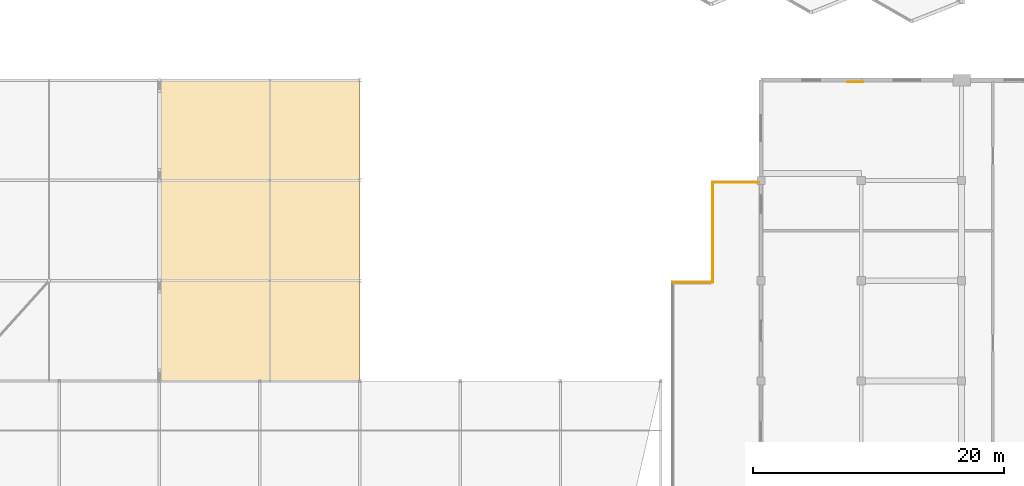
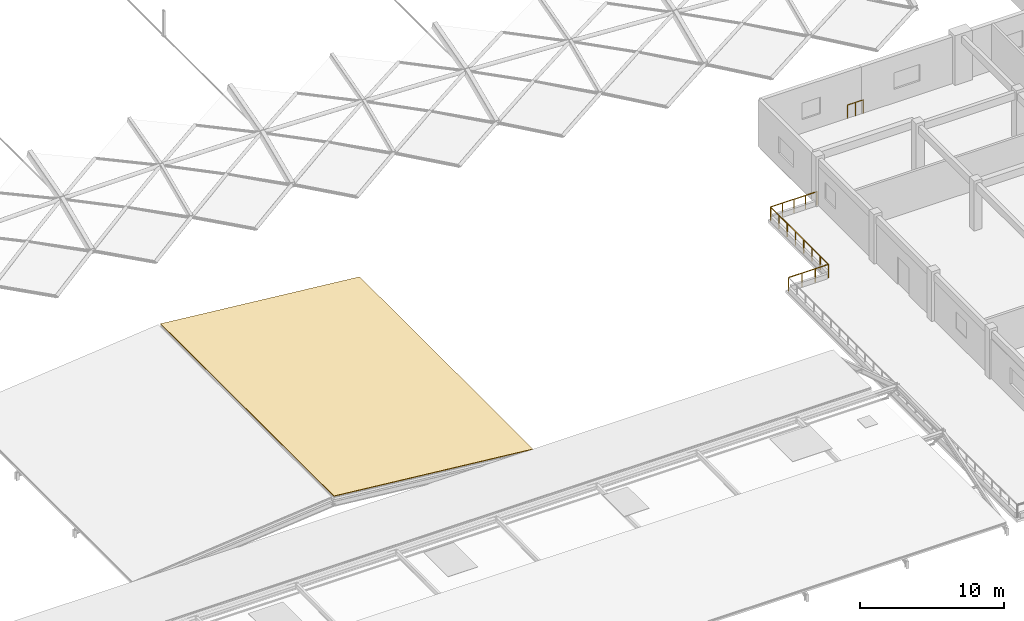
# One storey, part 51 of 54: 4 railings, 1 covering.
"""IFC4 building model written with IfcOpenShell, lengths in metres."""

from ifc_helpers import new_model, si_unit, direction, frame, origin, origin_2d, place, context, subcontext, project, spatial, polyline, circle, outline, extrude, material, layer, layer_set, type_object, element, save


model = new_model("IFC4")

# Units and contexts
model_context = context("Model", 3, precision=1e-05, world=origin(), true_north=direction((0.0, 1.0)))
body_context = subcontext(model_context, "Body", "Model", "MODEL_VIEW")
ifc_project = project(units=[si_unit("LENGTHUNIT", "METRE"), si_unit("AREAUNIT", "SQUARE_METRE"), si_unit("VOLUMEUNIT", "CUBIC_METRE"), si_unit("PLANEANGLEUNIT", "RADIAN"), si_unit("MASSUNIT", "GRAM", prefix="KILO")], contexts=[model_context])

# Site, building, storey
site_placement = place(None, origin())
site = spatial("IfcSite", under=ifc_project, at=site_placement, CompositionType="ELEMENT")
building_placement = place(site_placement, origin())
building = spatial("IfcBuilding", under=site, at=building_placement, Name="Kenh Van Central Station", CompositionType="ELEMENT")
storey_placement = place(building_placement, frame((0.0, 0.0, 15.0)))
storey = spatial("IfcBuildingStorey", under=building, at=storey_placement, Name="L03", CompositionType="ELEMENT", Elevation=15.0)

# Covering
ifc_material_1 = material(Name="Glazed terracotta roof tile", Category="masonry")
ifc_layer = layer(ifc_material_1, 0.054931640625, Name="Glazed terracotta roof tile")
ifc_layer_set = layer_set([ifc_layer], Name="Glazed terracotta roof tile")
covering_type = type_object("IfcCoveringType", Name="COV-ROOF-TERRA", PredefinedType="ROOFING", material=ifc_layer_set)
covering_placement = place(storey_placement, frame((80.10009765625, 40.0, 1.739990234375), z_axis=(0.100129933045, 0.0, 0.994974369775), x_axis=(0.994974369775, 0.0, -0.100129933045)))
element("IfcCovering", 1, at=covering_placement, inside=storey, type_object=covering_type, Name="L03 pitched roof covering 06", PredefinedType="ROOFING", context=body_context, shape_type="SweptSolid", body=[
    extrude(outline(polyline([(0.0, 0.0), (15.980212985136447, 0.0), (15.980212985136447, 23.999999999999996), (0.0, 23.999999999999996), (0.0, 0.0)])), origin(), (0.0, 0.0, -1.0), 0.054931640625),
])

# Railings
ifc_material_2 = material(Name="Champagne anodised aluminium", Category="aluminium")
railing_type = type_object("IfcRailingType", Name="RAIL-TERR-GRD115", PredefinedType="GUARDRAIL", material=ifc_material_2)
railing_1_placement = place(storey_placement, frame((120.949951171875, 47.85009765625, 0.0)))
element("IfcRailing", 2, at=railing_1_placement, inside=storey, type_object=railing_type, Name="L03 terrace guardrail 08", PredefinedType="GUARDRAIL", context=body_context, shape_type="SweptSolid", body=[
    extrude(circle(Radius=0.02392578125, at=origin_2d()), frame((0.0, 0.0, 1.1259765625), z_axis=(1.0, 0.0, 0.0), x_axis=(0.0, 1.0, 0.0)), (0.0, 0.0, 1.0), 3.199951171875),
    extrude(circle(Radius=0.02099609375, at=origin_2d()), origin(), (0.0, 0.0, 1.0), 1.101806640625),
    extrude(circle(Radius=0.02099609375, at=origin_2d()), frame((1.066650390625, 0.0, 0.0)), (0.0, 0.0, 1.0), 1.101806640625),
    extrude(circle(Radius=0.02099609375, at=origin_2d()), frame((2.13330078125, 0.0, 0.0)), (0.0, 0.0, 1.0), 1.101806640625),
    extrude(circle(Radius=0.02099609375, at=origin_2d()), frame((3.199951171875, 0.0, 0.0)), (0.0, 0.0, 1.0), 1.101806640625),
])
railing_2_placement = place(storey_placement, frame((124.14990234375, 47.85009765625, 0.0)))
element("IfcRailing", 3, at=railing_2_placement, inside=storey, type_object=railing_type, Name="L03 terrace guardrail 09", PredefinedType="GUARDRAIL", context=body_context, shape_type="SweptSolid", body=[
    extrude(circle(Radius=0.02392578125, at=origin_2d()), frame((0.0, 0.0, 1.1259765625), z_axis=(0.0, 1.0, 0.0), x_axis=(-1.0, 0.0, 0.0)), (0.0, 0.0, 1.0), 8.0),
    extrude(circle(Radius=0.02099609375, at=origin_2d()), origin(), (0.0, 0.0, 1.0), 1.101806640625),
    extrude(circle(Radius=0.02099609375, at=origin_2d()), frame((0.0, 1.142822265625, 0.0)), (0.0, 0.0, 1.0), 1.101806640625),
    extrude(circle(Radius=0.02099609375, at=origin_2d()), frame((0.0, 2.28564453125, 0.0)), (0.0, 0.0, 1.0), 1.101806640625),
    extrude(circle(Radius=0.02099609375, at=origin_2d()), frame((0.0, 3.428466796875, 0.0)), (0.0, 0.0, 1.0), 1.101806640625),
    extrude(circle(Radius=0.02099609375, at=origin_2d()), frame((0.0, 4.571533203125, 0.0)), (0.0, 0.0, 1.0), 1.101806640625),
    extrude(circle(Radius=0.02099609375, at=origin_2d()), frame((0.0, 5.71435546875, 0.0)), (0.0, 0.0, 1.0), 1.101806640625),
    extrude(circle(Radius=0.02099609375, at=origin_2d()), frame((0.0, 6.857177734375, 0.0)), (0.0, 0.0, 1.0), 1.101806640625),
    extrude(circle(Radius=0.02099609375, at=origin_2d()), frame((0.0, 8.0, 0.0)), (0.0, 0.0, 1.0), 1.101806640625),
])
railing_3_placement = place(storey_placement, frame((124.14990234375, 55.85009765625, 0.0)))
element("IfcRailing", 4, at=railing_3_placement, inside=storey, type_object=railing_type, Name="L03 terrace guardrail 10", PredefinedType="GUARDRAIL", context=body_context, shape_type="SweptSolid", body=[
    extrude(circle(Radius=0.02392578125, at=origin_2d()), frame((0.0, 0.0, 1.1259765625), z_axis=(1.0, 0.0, 0.0), x_axis=(0.0, 1.0, 0.0)), (0.0, 0.0, 1.0), 3.7001953125),
    extrude(circle(Radius=0.02099609375, at=origin_2d()), origin(), (0.0, 0.0, 1.0), 1.101806640625),
    extrude(circle(Radius=0.02099609375, at=origin_2d()), frame((0.925048828125, 0.0, 0.0)), (0.0, 0.0, 1.0), 1.101806640625),
    extrude(circle(Radius=0.02099609375, at=origin_2d()), frame((1.85009765625, 0.0, 0.0)), (0.0, 0.0, 1.0), 1.101806640625),
    extrude(circle(Radius=0.02099609375, at=origin_2d()), frame((2.775146484375, 0.0, 0.0)), (0.0, 0.0, 1.0), 1.101806640625),
    extrude(circle(Radius=0.02099609375, at=origin_2d()), frame((3.7001953125, 0.0, 0.0)), (0.0, 0.0, 1.0), 1.101806640625),
])
railing_4_placement = place(storey_placement, frame((134.89990234375, 63.85009765625, 0.0)))
element("IfcRailing", 5, at=railing_4_placement, inside=storey, type_object=railing_type, Name="L03 operations terrace corner guardrail 01", PredefinedType="GUARDRAIL", context=body_context, shape_type="SweptSolid", body=[
    extrude(circle(Radius=0.02392578125, at=origin_2d()), frame((0.0, 0.0, 1.1259765625), z_axis=(1.0, 0.0, 0.0), x_axis=(0.0, 1.0, 0.0)), (0.0, 0.0, 1.0), 1.25),
    extrude(circle(Radius=0.02099609375, at=origin_2d()), origin(), (0.0, 0.0, 1.0), 1.101806640625),
    extrude(circle(Radius=0.02099609375, at=origin_2d()), frame((0.625, 0.0, 0.0)), (0.0, 0.0, 1.0), 1.101806640625),
    extrude(circle(Radius=0.02099609375, at=origin_2d()), frame((1.25, 0.0, 0.0)), (0.0, 0.0, 1.0), 1.101806640625),
])

save(model, "model.ifc")
